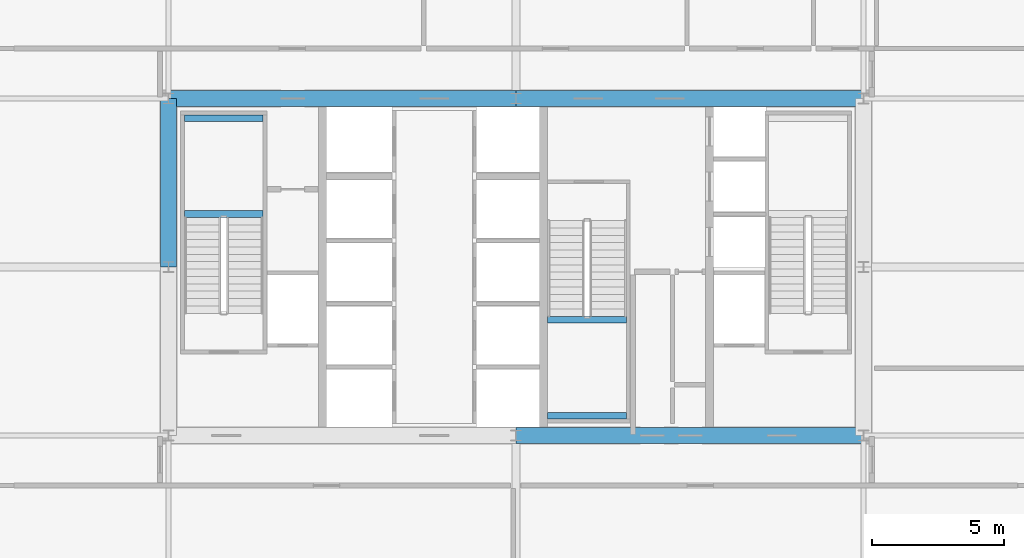
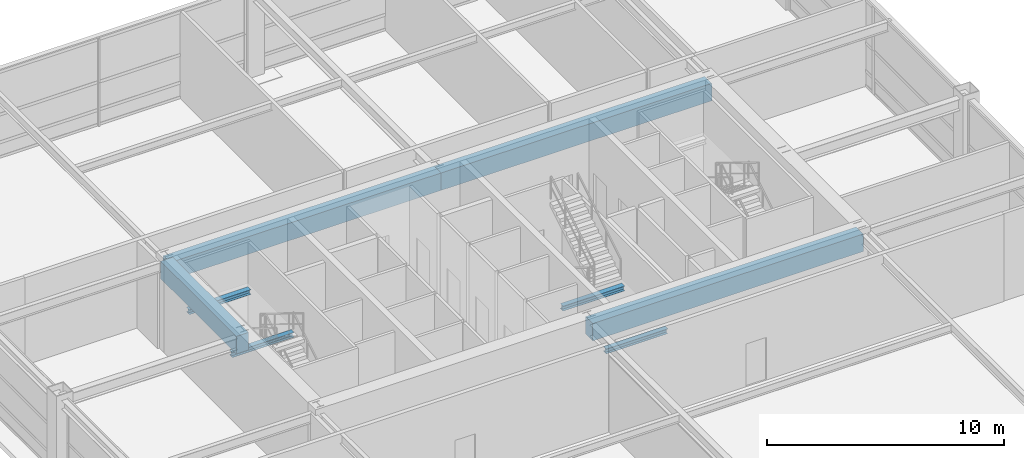
# One storey, part 13 of 34: 8 beams.
"""IFC4 building model written with IfcOpenShell, lengths in metres."""

from ifc_helpers import new_model, si_unit, direction, frame, origin, origin_2d, place, context, subcontext, project, spatial, rectangle, i_section, extrude, source, transform, mapped, material, material_profile, profile_set, type_object, element, save


model = new_model("IFC4")

# Units and contexts
model_context = context("Model", 3, precision=1e-05, world=origin(), true_north=direction((0.0, 1.0)))
body_context = subcontext(model_context, "Body", "Model", "MODEL_VIEW")
ifc_project = project(units=[si_unit("LENGTHUNIT", "METRE"), si_unit("AREAUNIT", "SQUARE_METRE"), si_unit("VOLUMEUNIT", "CUBIC_METRE"), si_unit("PLANEANGLEUNIT", "RADIAN"), si_unit("MASSUNIT", "GRAM", prefix="KILO"), si_unit("THERMODYNAMICTEMPERATUREUNIT", "KELVIN"), si_unit("POWERUNIT", "WATT")], contexts=[model_context])

# Site, building, storey
site_placement = place(None, origin())
site = spatial("IfcSite", under=ifc_project, at=site_placement, CompositionType="ELEMENT")
building_placement = place(site_placement, origin())
building = spatial("IfcBuilding", under=site, at=building_placement, Name="Yuzanri Waterfront Tower", CompositionType="ELEMENT")
storey_placement = place(building_placement, frame((0.0, 0.0, 166.800048828125)))
storey = spatial("IfcBuildingStorey", under=building, at=storey_placement, Name="L44", CompositionType="ELEMENT", Elevation=166.800048828125)

# Beams
ifc_material_1 = material(Name="Concrete C60", Category="concrete")
ifc_material_profile_1 = material_profile(ifc_material_1, rectangle(XDim=0.60009765625, YDim=0.89990234375, at=origin_2d()), Name="RC 600x900")
ifc_profile_set_1 = profile_set([ifc_material_profile_1], Name="Concrete C60")
beam_type_1 = type_object("IfcBeamType", Name="Core Coupling Lintel Concrete C60 600x900", PredefinedType="LINTEL", material=ifc_profile_set_1)
shared_shape_1 = source(origin(), body_context, "Body", "SweptSolid", [
    extrude(rectangle(XDim=0.60009765625, YDim=0.89990234375, at=origin_2d()), origin(), (0.0, 0.0, 1.0), 13.199951171875),
])
for number, where, z_axis, x_axis, name in (
    (1, (37.0, 19.39990234375, 4.050048828125), (1.0, 0.0, 0.0), (0.0, 1.0, 0.0), "L44 Core Tie Beam CS2"),
    (2, (23.800048828125, 32.199951171875, 4.050048828125), (1.0, 0.0, 0.0), (0.0, 1.0, 0.0), "L44 Core Tie Beam CN1"),
    (3, (37.0, 32.199951171875, 4.050048828125), (1.0, 0.0, 0.0), (0.0, 1.0, 0.0), "L44 Core Tie Beam CN2"),
):
    element("IfcBeam", number, at=place(storey_placement, frame(where, z_axis=z_axis, x_axis=x_axis)), inside=storey, type_object=beam_type_1, Name=name, PredefinedType="LINTEL", context=body_context, shape_type="MappedRepresentation", body=[
        mapped(shared_shape_1, transform((0.0, 0.0, 0.0), scale=1.0)),
    ])
shared_shape_2 = source(origin(), body_context, "Body", "SweptSolid", [
    extrude(rectangle(XDim=0.60009765625, YDim=0.89990234375, at=origin_2d()), origin(), (0.0, 0.0, 1.0), 6.39990234375),
])
beam_placement = place(storey_placement, frame((23.800048828125, 25.800048828125, 4.050048828125), z_axis=(0.0, 1.0, 0.0), x_axis=(-1.0, 0.0, 0.0)))
element("IfcBeam", 4, at=beam_placement, inside=storey, type_object=beam_type_1, Name="L44 Core Tie Beam CW2", PredefinedType="LINTEL", context=body_context, shape_type="MappedRepresentation", body=[
    mapped(shared_shape_2, transform((0.0, 0.0, 0.0), scale=1.0)),
])
ifc_material_2 = material(Name="Steel Q355B", Category="steel")
ifc_material_profile_2 = material_profile(ifc_material_2, i_section(OverallWidth=0.25, OverallDepth=0.25, WebThickness=0.009033203125, FlangeThickness=0.013916015625, at=origin_2d()), Name="HW 250x250x9x14")
ifc_profile_set_2 = profile_set([ifc_material_profile_2], Name="Steel Q355B")
beam_type_2 = type_object("IfcBeamType", Name="Stair Landing Support Beam Q355B HW 250x250", PredefinedType="BEAM", material=ifc_profile_set_2)
shared_shape_3 = source(origin(), body_context, "Body", "SweptSolid", [
    extrude(i_section(OverallWidth=0.25, OverallDepth=0.25, WebThickness=0.009033203125, FlangeThickness=0.013916015625, at=origin_2d()), origin(), (0.0, 0.0, 1.0), 3.0),
])
for number, where, z_axis, x_axis, name in (
    (5, (24.39990234375, 27.81005859375, 2.074951171875), (1.0, 0.0, 0.0), (0.0, 1.0, 0.0), "L44 Stair Landing Support Beam ST-01-L44-L1-1"),
    (6, (24.39990234375, 31.449951171875, 2.074951171875), (1.0, 0.0, 0.0), (0.0, 1.0, 0.0), "L44 Stair Landing Support Beam ST-01-L44-L1-2"),
    (7, (38.199951171875, 20.14990234375, 2.074951171875), (1.0, 0.0, 0.0), (0.0, 1.0, 0.0), "L44 Stair Landing Support Beam ST-03-L44-L1-1"),
    (8, (38.199951171875, 23.7900390625, 2.074951171875), (1.0, 0.0, 0.0), (0.0, 1.0, 0.0), "L44 Stair Landing Support Beam ST-03-L44-L1-2"),
):
    element("IfcBeam", number, at=place(storey_placement, frame(where, z_axis=z_axis, x_axis=x_axis)), inside=storey, type_object=beam_type_2, Name=name, PredefinedType="BEAM", context=body_context, shape_type="MappedRepresentation", body=[
        mapped(shared_shape_3, transform((0.0, 0.0, 0.0), scale=1.0)),
    ])

save(model, "model.ifc")
